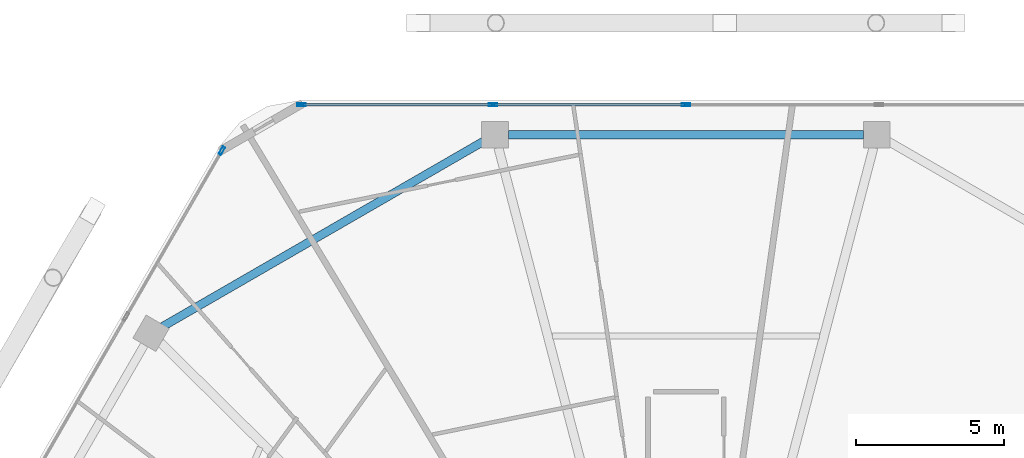
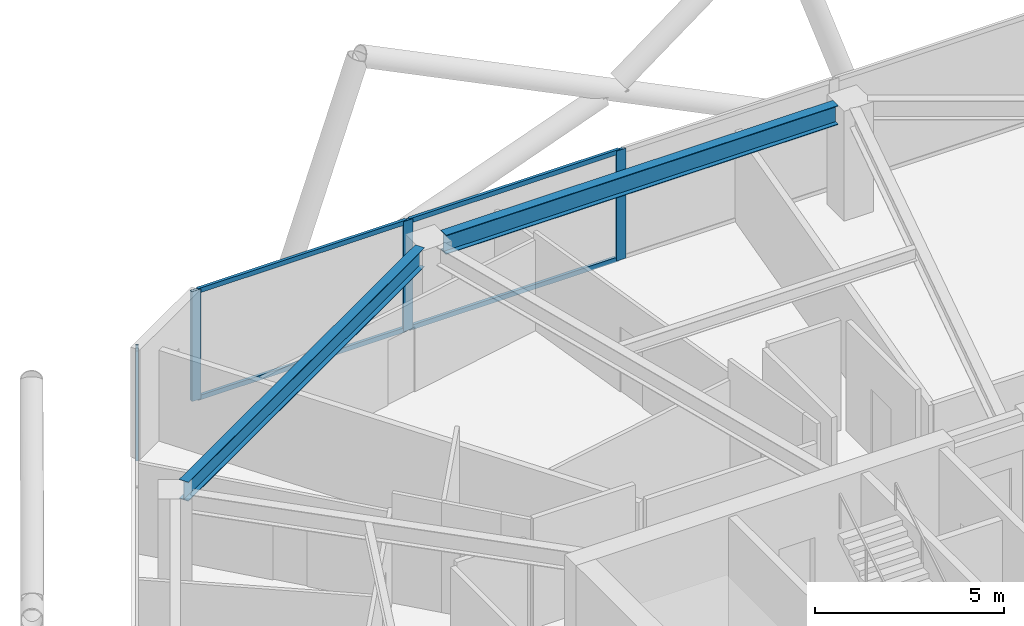
# One storey, part 15 of 27: 8 members, 2 beams, 2 elements without a shape of their own.
"""IFC4 building model written with IfcOpenShell, lengths in metres."""

from ifc_helpers import new_model, si_unit, direction, frame, origin, origin_2d, place, context, subcontext, project, spatial, hollow_rectangle, i_section, extrude, material, material_profile, profile_set, type_object, element, aggregate, save


model = new_model("IFC4")

# Units and contexts
model_context = context("Model", 3, precision=1e-05, world=origin(), true_north=direction((0.0, 1.0)))
body_context = subcontext(model_context, "Body", "Model", "MODEL_VIEW")
ifc_project = project(units=[si_unit("LENGTHUNIT", "METRE"), si_unit("AREAUNIT", "SQUARE_METRE"), si_unit("VOLUMEUNIT", "CUBIC_METRE"), si_unit("PLANEANGLEUNIT", "RADIAN"), si_unit("MASSUNIT", "GRAM", prefix="KILO")], contexts=[model_context])

# Site, building, storey
site_placement = place(None, origin())
site = spatial("IfcSite", under=ifc_project, at=site_placement, CompositionType="ELEMENT")
building_placement = place(site_placement, origin())
building = spatial("IfcBuilding", under=site, at=building_placement, Name="Zuhravey Tower", CompositionType="ELEMENT")
storey_placement = place(building_placement, frame((0.0, 0.0, 261.60009765625)))
storey = spatial("IfcBuildingStorey", under=building, at=storey_placement, Name="L66", CompositionType="ELEMENT", Elevation=261.60009765625)

# Curtain wall, member
ifc_material_1 = material(Name="Thermally broken anodised aluminium", Category="aluminium")
curtain_wall_type = type_object("IfcCurtainWallType", Name="Zone 3-4 High-Rise Curtain Wall CW4", PredefinedType="NOTDEFINED", material=ifc_material_1)
curtain_wall_1_placement = place(storey_placement, origin())
curtain_wall_1 = element("IfcCurtainWall", 1, at=curtain_wall_1_placement, inside=storey, type_object=curtain_wall_type, Name="L66 CW4 CW-L66-F3-1", PredefinedType="NOTDEFINED")
ifc_material_2 = material(Name="Anodised aluminium", Category="aluminium")
ifc_material_profile_1 = material_profile(ifc_material_2, hollow_rectangle(XDim=0.090087890625, YDim=0.284912109375, WallThickness=0.0048828125, at=origin_2d()), Name="ALU-RHS-90x285x5")
ifc_profile_set_1 = profile_set([ifc_material_profile_1], Name="Anodised aluminium")
member_type_1 = type_object("IfcMemberType", Name="Curtain-Wall Mullion 90x180", PredefinedType="MULLION", material=ifc_profile_set_1)
member_1_placement = place(storey_placement, frame((20.34521484375, 56.01220703125, 0.0), z_axis=(0.0, 0.0, 1.0), x_axis=(-0.866024851021, 0.500000957414, 0.0)))
member_1 = element("IfcMember", 2, at=member_1_placement, type_object=member_type_1, Name="CW4 mullion 5", PredefinedType="MULLION", context=body_context, shape_type="SweptSolid", body=[
    extrude(hollow_rectangle(XDim=0.090087890625, YDim=0.284912109375, WallThickness=0.0048828125, at=origin_2d()), origin(), (0.0, 0.0, 1.0), 3.5498046875),
])
aggregate(curtain_wall_1, [member_1])

# Curtain wall, members
curtain_wall_2_placement = place(storey_placement, origin())
curtain_wall_2 = element("IfcCurtainWall", 3, at=curtain_wall_2_placement, inside=storey, type_object=curtain_wall_type, Name="L66 CW4 CW-L66-F2-1", PredefinedType="NOTDEFINED")
member_2_placement = place(storey_placement, frame((23.0322265625, 57.563720703125, 0.0), z_axis=(0.0, 0.0, 1.0), x_axis=(0.0, 1.0, 0.0)))
member_2 = element("IfcMember", 4, at=member_2_placement, type_object=member_type_1, Name="CW4 mullion 1", PredefinedType="MULLION", context=body_context, shape_type="SweptSolid", body=[
    extrude(hollow_rectangle(XDim=0.090087890625, YDim=0.284912109375, WallThickness=0.0048828125, at=origin_2d()), origin(), (0.0, 0.0, 1.0), 3.5498046875),
])
member_3_placement = place(storey_placement, frame((29.49365234375, 57.563720703125, 0.0), z_axis=(0.0, 0.0, 1.0), x_axis=(0.0, 1.0, 0.0)))
member_3 = element("IfcMember", 5, at=member_3_placement, type_object=member_type_1, Name="CW4 mullion 2", PredefinedType="MULLION", context=body_context, shape_type="SweptSolid", body=[
    extrude(hollow_rectangle(XDim=0.090087890625, YDim=0.284912109375, WallThickness=0.0048828125, at=origin_2d()), origin(), (0.0, 0.0, 1.0), 3.5498046875),
])
member_4_placement = place(storey_placement, frame((36.0, 57.563720703125, 0.0), z_axis=(0.0, 0.0, 1.0), x_axis=(0.0, 1.0, 0.0)))
member_4 = element("IfcMember", 6, at=member_4_placement, type_object=member_type_1, Name="CW4 mullion 3", PredefinedType="MULLION", context=body_context, shape_type="SweptSolid", body=[
    extrude(hollow_rectangle(XDim=0.090087890625, YDim=0.284912109375, WallThickness=0.0048828125, at=origin_2d()), origin(), (0.0, 0.0, 1.0), 3.5498046875),
])
ifc_material_profile_2 = material_profile(ifc_material_2, hollow_rectangle(XDim=0.090087890625, YDim=0.14990234375, WallThickness=0.0048828125, at=origin_2d()), Name="ALU-RHS-90x150x5")
ifc_profile_set_2 = profile_set([ifc_material_profile_2], Name="Anodised aluminium")
member_type_2 = type_object("IfcMemberType", Name="Curtain-Wall Transom 90x150", PredefinedType="USERDEFINED", material=ifc_profile_set_2)
member_5_placement = place(storey_placement, frame((23.077392578125, 57.563720703125, 0.044921875), z_axis=(1.0, 0.0, 0.0), x_axis=(0.0, 1.0, 0.0)))
member_5 = element("IfcMember", 7, at=member_5_placement, type_object=member_type_2, Name="CW4 transom 1.1", ObjectType="TRANSOM", PredefinedType="USERDEFINED", context=body_context, shape_type="SweptSolid", body=[
    extrude(hollow_rectangle(XDim=0.090087890625, YDim=0.14990234375, WallThickness=0.0048828125, at=origin_2d()), origin(), (0.0, 0.0, 1.0), 6.371337890625),
])
member_6_placement = place(storey_placement, frame((23.077392578125, 57.563720703125, 3.5048828125), z_axis=(1.0, 0.0, 0.0), x_axis=(0.0, 1.0, 0.0)))
member_6 = element("IfcMember", 8, at=member_6_placement, type_object=member_type_2, Name="CW4 transom 1.2", ObjectType="TRANSOM", PredefinedType="USERDEFINED", context=body_context, shape_type="SweptSolid", body=[
    extrude(hollow_rectangle(XDim=0.090087890625, YDim=0.14990234375, WallThickness=0.0048828125, at=origin_2d()), origin(), (0.0, 0.0, 1.0), 6.371337890625),
])
member_7_placement = place(storey_placement, frame((29.53857421875, 57.563720703125, 0.044921875), z_axis=(1.0, 0.0, 0.0), x_axis=(0.0, 1.0, 0.0)))
member_7 = element("IfcMember", 9, at=member_7_placement, type_object=member_type_2, Name="CW4 transom 2.1", ObjectType="TRANSOM", PredefinedType="USERDEFINED", context=body_context, shape_type="SweptSolid", body=[
    extrude(hollow_rectangle(XDim=0.090087890625, YDim=0.14990234375, WallThickness=0.0048828125, at=origin_2d()), origin(), (0.0, 0.0, 1.0), 6.41650390625),
])
member_8_placement = place(storey_placement, frame((29.53857421875, 57.563720703125, 3.5048828125), z_axis=(1.0, 0.0, 0.0), x_axis=(0.0, 1.0, 0.0)))
member_8 = element("IfcMember", 10, at=member_8_placement, type_object=member_type_2, Name="CW4 transom 2.2", ObjectType="TRANSOM", PredefinedType="USERDEFINED", context=body_context, shape_type="SweptSolid", body=[
    extrude(hollow_rectangle(XDim=0.090087890625, YDim=0.14990234375, WallThickness=0.0048828125, at=origin_2d()), origin(), (0.0, 0.0, 1.0), 6.41650390625),
])
aggregate(curtain_wall_2, [member_2, member_3, member_4, member_5, member_6, member_7, member_8])

# Beams
ifc_material_3 = material(Name="Steel SM355", Category="steel")
ifc_material_profile_3 = material_profile(ifc_material_3, i_section(OverallWidth=0.280029296875, OverallDepth=0.6201171875, WebThickness=0.011962890625, FlangeThickness=0.02001953125, at=origin_2d()), Name="H-620x280x12x20")
ifc_profile_set_3 = profile_set([ifc_material_profile_3], Name="Steel SM355")
beam_type = type_object("IfcBeamType", Name="Perimeter Ring Beam H620x280", PredefinedType="BEAM", material=ifc_profile_set_3)
beam_1_placement = place(storey_placement, frame((41.98779296875, 56.5537109375, 3.239990234375), z_axis=(-1.0, 0.0, 0.0), x_axis=(0.0, -1.0, 0.0)))
element("IfcBeam", 11, at=beam_1_placement, inside=storey, type_object=beam_type, Name="L66 PB3 BM-L66-PB-03", PredefinedType="BEAM", context=body_context, shape_type="SweptSolid", body=[
    extrude(i_section(OverallWidth=0.280029296875, OverallDepth=0.6201171875, WebThickness=0.011962890625, FlangeThickness=0.02001953125, at=origin_2d()), origin(), (0.0, 0.0, 1.0), 11.9755859375),
])
beam_2_placement = place(storey_placement, frame((29.166748046875, 56.3271484375, 3.239990234375), z_axis=(-0.866025131093, -0.500000472315, 0.0), x_axis=(0.500000472315, -0.866025131093, 0.0)))
element("IfcBeam", 12, at=beam_2_placement, inside=storey, type_object=beam_type, Name="L66 PB3 BM-L66-PB-04", PredefinedType="BEAM", context=body_context, shape_type="SweptSolid", body=[
    extrude(i_section(OverallWidth=0.280029296875, OverallDepth=0.6201171875, WebThickness=0.011962890625, FlangeThickness=0.02001953125, at=origin_2d()), origin(), (0.0, 0.0, 1.0), 12.49169921875),
])

save(model, "model.ifc")
